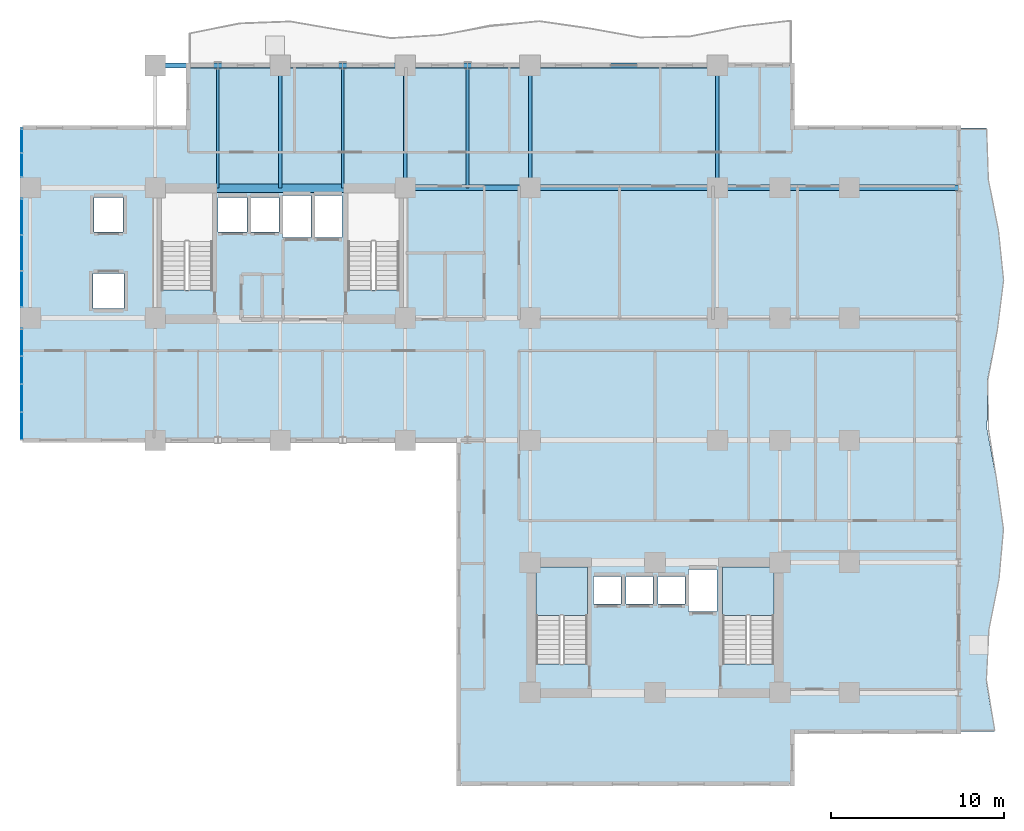
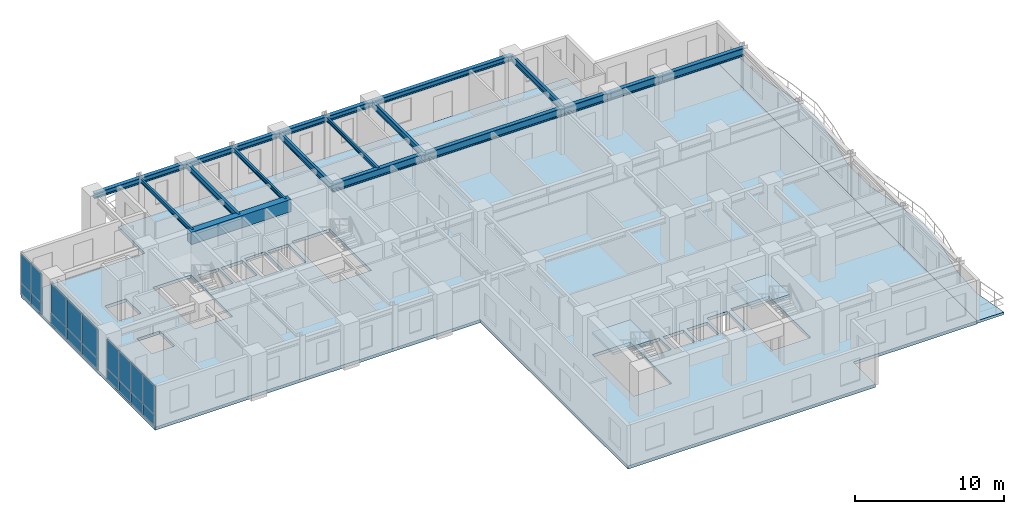
# One storey, part 7 of 17: 20 beams, 18 plates, 4 slabs, 5 elements without a shape of their own.
"""IFC4 building model written with IfcOpenShell, lengths in metres."""

from ifc_helpers import new_model, si_unit, direction, frame, origin, origin_2d, place, context, subcontext, project, spatial, polyline, rectangle, i_section, outline, extrude, source, transform, mapped, material, layer, layer_set, material_profile, profile_set, type_object, element, aggregate, save


model = new_model("IFC4")

# Units and contexts
model_context = context("Model", 3, precision=1e-05, world=origin(), true_north=direction((0.0, 1.0)))
body_context = subcontext(model_context, "Body", "Model", "MODEL_VIEW")
ifc_project = project(units=[si_unit("LENGTHUNIT", "METRE"), si_unit("AREAUNIT", "SQUARE_METRE"), si_unit("VOLUMEUNIT", "CUBIC_METRE"), si_unit("PLANEANGLEUNIT", "RADIAN"), si_unit("MASSUNIT", "GRAM", prefix="KILO")], contexts=[model_context])

# Site, building, storey
site_placement = place(None, origin())
site = spatial("IfcSite", under=ifc_project, at=site_placement, CompositionType="ELEMENT")
building_placement = place(site_placement, origin())
building = spatial("IfcBuilding", under=site, at=building_placement, Name="Kaliganga Portal Commons", CompositionType="ELEMENT")
storey_placement = place(building_placement, frame((0.0, 0.0, 108.199951171875)))
storey = spatial("IfcBuildingStorey", under=building, at=storey_placement, Name="L27", CompositionType="ELEMENT", Elevation=108.199951171875)

# Beams
ifc_material_1 = material(Name="Concrete C50/60", Category="concrete")
ifc_material_profile_1 = material_profile(ifc_material_1, rectangle(XDim=0.5, YDim=1.0, at=origin_2d()), Name="RC 500x1000")
ifc_profile_set_1 = profile_set([ifc_material_profile_1], Name="Concrete C50/60")
beam_type_1 = type_object("IfcBeamType", Name="BM-CPL-1000", PredefinedType="LINTEL", material=ifc_profile_set_1)
shared_shape_1 = source(origin(), body_context, "Body", "SweptSolid", [
    extrude(rectangle(XDim=0.5, YDim=1.0, at=origin_2d()), origin(), (0.0, 0.0, 1.0), 7.739990234375),
])
beam_1_placement = place(storey_placement, frame((17.72998046875, 36.125, 2.949951171875), z_axis=(1.0, 0.0, 0.0), x_axis=(0.0, 1.0, 0.0)))
element("IfcBeam", 1, at=beam_1_placement, inside=storey, type_object=beam_type_1, Name="BM CPL COREA L27 N", PredefinedType="LINTEL", context=body_context, shape_type="MappedRepresentation", body=[
    mapped(shared_shape_1, transform((0.0, 0.0, 0.0), x_axis=(1.0, 0.0, 0.0), y_axis=(0.0, 1.0, 0.0), z_axis=(0.0, 0.0, 1.0), scale=1.0)),
])
ifc_material_2 = material(Name="Structural steel S355J2", Category="steel")
ifc_material_profile_2 = material_profile(ifc_material_2, i_section(OverallWidth=0.300048828125, OverallDepth=0.64990234375, WebThickness=0.01611328125, FlangeThickness=0.031005859375, FilletRadius=0.027099609375, at=origin_2d()), Name="HE 650 B")
ifc_profile_set_2 = profile_set([ifc_material_profile_2], Name="Structural steel S355J2 wide-flange")
beam_type_2 = type_object("IfcBeamType", Name="BM-GIRD-650", PredefinedType="USERDEFINED", material=ifc_profile_set_2)
shared_shape_2 = source(origin(), body_context, "Body", "SweptSolid", [
    extrude(i_section(OverallWidth=0.300048828125, OverallDepth=0.64990234375, WebThickness=0.01611328125, FlangeThickness=0.031005859375, FilletRadius=0.027099609375, at=origin_2d()), origin(), (0.0, 0.0, 1.0), 3.599853515625),
])
beam_2_placement = place(storey_placement, frame((46.800048828125, 36.14990234375, 3.125), z_axis=(1.0, 0.0, 0.0), x_axis=(0.0, 1.0, 0.0)))
element("IfcBeam", 2, at=beam_2_placement, inside=storey, type_object=beam_type_2, Name="BM G L27 BKE362 1", ObjectType="GIRDER", PredefinedType="USERDEFINED", context=body_context, shape_type="MappedRepresentation", body=[
    mapped(shared_shape_2, transform((0.0, 0.0, 0.0), x_axis=(1.0, 0.0, 0.0), y_axis=(0.0, 1.0, 0.0), z_axis=(0.0, 0.0, 1.0), scale=1.0)),
])
shared_shape_3 = source(origin(), body_context, "Body", "SweptSolid", [
    extrude(i_section(OverallWidth=0.300048828125, OverallDepth=0.64990234375, WebThickness=0.01611328125, FlangeThickness=0.031005859375, FilletRadius=0.027099609375, at=origin_2d()), origin(), (0.0, 0.0, 1.0), 7.199951171875),
])
beam_3_placement = place(storey_placement, frame((28.800048828125, 36.14990234375, 3.125), z_axis=(1.0, 0.0, 0.0), x_axis=(0.0, 1.0, 0.0)))
element("IfcBeam", 3, at=beam_3_placement, inside=storey, type_object=beam_type_2, Name="BM G L27 WAE_N 1", ObjectType="GIRDER", PredefinedType="USERDEFINED", context=body_context, shape_type="MappedRepresentation", body=[
    mapped(shared_shape_3, transform((0.0, 0.0, 0.0), x_axis=(1.0, 0.0, 0.0), y_axis=(0.0, 1.0, 0.0), z_axis=(0.0, 0.0, 1.0), scale=1.0)),
])
shared_shape_4 = source(origin(), body_context, "Body", "SweptSolid", [
    extrude(i_section(OverallWidth=0.300048828125, OverallDepth=0.64990234375, WebThickness=0.01611328125, FlangeThickness=0.031005859375, FilletRadius=0.027099609375, at=origin_2d()), origin(), (0.0, 0.0, 1.0), 10.800048828125),
])
beam_4_placement = place(storey_placement, frame((36.0, 36.14990234375, 3.125), z_axis=(1.0, 0.0, 0.0), x_axis=(0.0, 1.0, 0.0)))
element("IfcBeam", 4, at=beam_4_placement, inside=storey, type_object=beam_type_2, Name="BM G L27 WAE_N 2", ObjectType="GIRDER", PredefinedType="USERDEFINED", context=body_context, shape_type="MappedRepresentation", body=[
    mapped(shared_shape_4, transform((0.0, 0.0, 0.0), x_axis=(1.0, 0.0, 0.0), y_axis=(0.0, 1.0, 0.0), z_axis=(0.0, 0.0, 1.0), scale=1.0)),
])
shared_shape_5 = source(origin(), body_context, "Body", "SweptSolid", [
    extrude(i_section(OverallWidth=0.300048828125, OverallDepth=0.64990234375, WebThickness=0.01611328125, FlangeThickness=0.031005859375, FilletRadius=0.027099609375, at=origin_2d()), origin(), (0.0, 0.0, 1.0), 4.0),
])
beam_5_placement = place(storey_placement, frame((50.39990234375, 36.14990234375, 3.125), z_axis=(1.0, 0.0, 0.0), x_axis=(0.0, 1.0, 0.0)))
element("IfcBeam", 5, at=beam_5_placement, inside=storey, type_object=beam_type_2, Name="BM G L27 BKE362 2", ObjectType="GIRDER", PredefinedType="USERDEFINED", context=body_context, shape_type="MappedRepresentation", body=[
    mapped(shared_shape_5, transform((0.0, 0.0, 0.0), x_axis=(1.0, 0.0, 0.0), y_axis=(0.0, 1.0, 0.0), z_axis=(0.0, 0.0, 1.0), scale=1.0)),
])
ifc_material_profile_3 = material_profile(ifc_material_2, i_section(OverallWidth=0.199951171875, OverallDepth=0.5, WebThickness=0.01025390625, FlangeThickness=0.01611328125, FilletRadius=0.02099609375, at=origin_2d()), Name="IPE 500")
ifc_profile_set_3 = profile_set([ifc_material_profile_3], Name="Structural steel S355J2 wide-flange")
beam_type_3 = type_object("IfcBeamType", Name="BM-FLR-500", PredefinedType="BEAM", material=ifc_profile_set_3)
shared_shape_6 = source(origin(), body_context, "Body", "SweptSolid", [
    extrude(i_section(OverallWidth=0.199951171875, OverallDepth=0.5, WebThickness=0.01025390625, FlangeThickness=0.01611328125, FilletRadius=0.02099609375, at=origin_2d()), origin(), (0.0, 0.0, 1.0), 7.050048828125),
])
for number, where, z_axis, x_axis, name in (
    (6, (28.800048828125, 36.14990234375, 3.199951171875), (0.0, 1.0, 0.0), (-1.0, 0.0, 0.0), "BM G L27 AN288"),
    (7, (36.0, 36.14990234375, 3.199951171875), (0.0, 1.0, 0.0), (-1.0, 0.0, 0.0), "BM G L27 AN360"),
    (8, (46.800048828125, 36.14990234375, 3.199951171875), (0.0, 1.0, 0.0), (-1.0, 0.0, 0.0), "BM G L27 AN468"),
):
    element("IfcBeam", number, at=place(storey_placement, frame(where, z_axis=z_axis, x_axis=x_axis)), inside=storey, type_object=beam_type_3, Name=name, PredefinedType="BEAM", context=body_context, shape_type="MappedRepresentation", body=[
        mapped(shared_shape_6, transform((0.0, 0.0, 0.0), x_axis=(1.0, 0.0, 0.0), y_axis=(0.0, 1.0, 0.0), z_axis=(0.0, 0.0, 1.0), scale=1.0)),
    ])
shared_shape_7 = source(origin(), body_context, "Body", "SweptSolid", [
    extrude(i_section(OverallWidth=0.199951171875, OverallDepth=0.5, WebThickness=0.01025390625, FlangeThickness=0.01611328125, FilletRadius=0.02099609375, at=origin_2d()), origin(), (0.0, 0.0, 1.0), 7.074951171875),
])
beam_6_placement = place(storey_placement, frame((21.60009765625, 36.125, 3.199951171875), z_axis=(0.0, 1.0, 0.0), x_axis=(-1.0, 0.0, 0.0)))
element("IfcBeam", 9, at=beam_6_placement, inside=storey, type_object=beam_type_3, Name="BM G L27 AN216", PredefinedType="BEAM", context=body_context, shape_type="MappedRepresentation", body=[
    mapped(shared_shape_7, transform((0.0, 0.0, 0.0), x_axis=(1.0, 0.0, 0.0), y_axis=(0.0, 1.0, 0.0), z_axis=(0.0, 0.0, 1.0), scale=1.0)),
])
shared_shape_8 = source(origin(), body_context, "Body", "SweptSolid", [
    extrude(i_section(OverallWidth=0.300048828125, OverallDepth=0.64990234375, WebThickness=0.01611328125, FlangeThickness=0.031005859375, FilletRadius=0.027099609375, at=origin_2d()), origin(), (0.0, 0.0, 1.0), 6.300048828125),
])
beam_7_placement = place(storey_placement, frame((54.39990234375, 36.14990234375, 3.125), z_axis=(1.0, 0.0, 0.0), x_axis=(0.0, 1.0, 0.0)))
element("IfcBeam", 10, at=beam_7_placement, inside=storey, type_object=beam_type_2, Name="BM G L27 BKE362 3", ObjectType="GIRDER", PredefinedType="USERDEFINED", context=body_context, shape_type="MappedRepresentation", body=[
    mapped(shared_shape_8, transform((0.0, 0.0, 0.0), x_axis=(1.0, 0.0, 0.0), y_axis=(0.0, 1.0, 0.0), z_axis=(0.0, 0.0, 1.0), scale=1.0)),
])
ifc_material_profile_4 = material_profile(ifc_material_2, i_section(OverallWidth=0.300048828125, OverallDepth=0.449951171875, WebThickness=0.013916015625, FlangeThickness=0.02587890625, FilletRadius=0.027099609375, at=origin_2d()), Name="HE 450 B")
ifc_profile_set_4 = profile_set([ifc_material_profile_4], Name="Structural steel S355J2 wide-flange")
beam_type_4 = type_object("IfcBeamType", Name="BM-SPAND-450", PredefinedType="SPANDREL", material=ifc_profile_set_4)
shared_shape_9 = source(origin(), body_context, "Body", "SweptSolid", [
    extrude(i_section(OverallWidth=0.300048828125, OverallDepth=0.449951171875, WebThickness=0.013916015625, FlangeThickness=0.02587890625, FilletRadius=0.027099609375, at=origin_2d()), origin(), (0.0, 0.0, 1.0), 3.60009765625),
])
for number, where, z_axis, x_axis, name in (
    (11, (14.39990234375, 43.199951171875, 3.22509765625), (1.0, 0.0, 0.0), (0.0, 1.0, 0.0), "BM SP L27 AN 1"),
    (12, (18.0, 43.199951171875, 3.22509765625), (1.0, 0.0, 0.0), (0.0, 1.0, 0.0), "BM SP L27 AN 2"),
    (13, (25.199951171875, 43.199951171875, 3.22509765625), (1.0, 0.0, 0.0), (0.0, 1.0, 0.0), "BM SP L27 AN 4"),
    (14, (32.39990234375, 43.199951171875, 3.22509765625), (1.0, 0.0, 0.0), (0.0, 1.0, 0.0), "BM SP L27 AN 6"),
):
    element("IfcBeam", number, at=place(storey_placement, frame(where, z_axis=z_axis, x_axis=x_axis)), inside=storey, type_object=beam_type_4, Name=name, PredefinedType="SPANDREL", context=body_context, shape_type="MappedRepresentation", body=[
        mapped(shared_shape_9, transform((0.0, 0.0, 0.0), x_axis=(1.0, 0.0, 0.0), y_axis=(0.0, 1.0, 0.0), z_axis=(0.0, 0.0, 1.0), scale=1.0)),
    ])
shared_shape_10 = source(origin(), body_context, "Body", "SweptSolid", [
    extrude(i_section(OverallWidth=0.300048828125, OverallDepth=0.449951171875, WebThickness=0.013916015625, FlangeThickness=0.02587890625, FilletRadius=0.027099609375, at=origin_2d()), origin(), (0.0, 0.0, 1.0), 3.599853515625),
])
for number, where, z_axis, x_axis, name in (
    (15, (21.60009765625, 43.199951171875, 3.22509765625), (1.0, 0.0, 0.0), (0.0, 1.0, 0.0), "BM SP L27 AN 3"),
    (16, (28.800048828125, 43.199951171875, 3.22509765625), (1.0, 0.0, 0.0), (0.0, 1.0, 0.0), "BM SP L27 AN 5"),
):
    element("IfcBeam", number, at=place(storey_placement, frame(where, z_axis=z_axis, x_axis=x_axis)), inside=storey, type_object=beam_type_4, Name=name, PredefinedType="SPANDREL", context=body_context, shape_type="MappedRepresentation", body=[
        mapped(shared_shape_10, transform((0.0, 0.0, 0.0), x_axis=(1.0, 0.0, 0.0), y_axis=(0.0, 1.0, 0.0), z_axis=(0.0, 0.0, 1.0), scale=1.0)),
    ])
shared_shape_11 = source(origin(), body_context, "Body", "SweptSolid", [
    extrude(i_section(OverallWidth=0.300048828125, OverallDepth=0.449951171875, WebThickness=0.013916015625, FlangeThickness=0.02587890625, FilletRadius=0.027099609375, at=origin_2d()), origin(), (0.0, 0.0, 1.0), 10.800048828125),
])
beam_8_placement = place(storey_placement, frame((36.0, 43.199951171875, 3.22509765625), z_axis=(1.0, 0.0, 0.0), x_axis=(0.0, 1.0, 0.0)))
element("IfcBeam", 17, at=beam_8_placement, inside=storey, type_object=beam_type_4, Name="BM SP L27 AN 7", PredefinedType="SPANDREL", context=body_context, shape_type="MappedRepresentation", body=[
    mapped(shared_shape_11, transform((0.0, 0.0, 0.0), x_axis=(1.0, 0.0, 0.0), y_axis=(0.0, 1.0, 0.0), z_axis=(0.0, 0.0, 1.0), scale=1.0)),
])
ifc_material_profile_5 = material_profile(ifc_material_2, i_section(OverallWidth=0.159912109375, OverallDepth=0.330078125, WebThickness=0.007568359375, FlangeThickness=0.011474609375, FilletRadius=0.01806640625, at=origin_2d()), Name="IPE 330")
ifc_profile_set_5 = profile_set([ifc_material_profile_5], Name="Structural steel S355J2 wide-flange")
beam_type_5 = type_object("IfcBeamType", Name="BM-JST-330", PredefinedType="JOIST", material=ifc_profile_set_5)
shared_shape_12 = source(origin(), body_context, "Body", "SweptSolid", [
    extrude(i_section(OverallWidth=0.159912109375, OverallDepth=0.330078125, WebThickness=0.007568359375, FlangeThickness=0.011474609375, FilletRadius=0.01806640625, at=origin_2d()), origin(), (0.0, 0.0, 1.0), 7.074951171875),
])
for number, where, z_axis, x_axis, name in (
    (18, (18.0, 36.125, 3.28515625), (0.0, 1.0, 0.0), (-1.0, 0.0, 0.0), "BM G L27 AN180"),
    (19, (25.199951171875, 36.125, 3.28515625), (0.0, 1.0, 0.0), (-1.0, 0.0, 0.0), "BM G L27 AN252"),
):
    element("IfcBeam", number, at=place(storey_placement, frame(where, z_axis=z_axis, x_axis=x_axis)), inside=storey, type_object=beam_type_5, Name=name, PredefinedType="JOIST", context=body_context, shape_type="MappedRepresentation", body=[
        mapped(shared_shape_12, transform((0.0, 0.0, 0.0), x_axis=(1.0, 0.0, 0.0), y_axis=(0.0, 1.0, 0.0), z_axis=(0.0, 0.0, 1.0), scale=1.0)),
    ])
shared_shape_13 = source(origin(), body_context, "Body", "SweptSolid", [
    extrude(i_section(OverallWidth=0.159912109375, OverallDepth=0.330078125, WebThickness=0.007568359375, FlangeThickness=0.011474609375, FilletRadius=0.01806640625, at=origin_2d()), origin(), (0.0, 0.0, 1.0), 7.050048828125),
])
beam_9_placement = place(storey_placement, frame((32.39990234375, 36.14990234375, 3.28515625), z_axis=(0.0, 1.0, 0.0), x_axis=(-1.0, 0.0, 0.0)))
element("IfcBeam", 20, at=beam_9_placement, inside=storey, type_object=beam_type_5, Name="BM G L27 AN324", PredefinedType="JOIST", context=body_context, shape_type="MappedRepresentation", body=[
    mapped(shared_shape_13, transform((0.0, 0.0, 0.0), x_axis=(1.0, 0.0, 0.0), y_axis=(0.0, 1.0, 0.0), z_axis=(0.0, 0.0, 1.0), scale=1.0)),
])

# Slab
ifc_material_3 = material(Name="Concrete C40/50", Category="concrete")
ifc_layer_1 = layer(ifc_material_3, 0.2099609375)
ifc_layer_set_1 = layer_set([ifc_layer_1], Name="Concrete C40/50")
slab_type_1 = type_object("IfcSlabType", Name="SLB-BALC-210", PredefinedType="FLOOR", material=ifc_layer_set_1)
slab_1_placement = place(storey_placement, frame((0.0, 0.0, -0.2099609375)))
element("IfcSlab", 21, at=slab_1_placement, inside=storey, type_object=slab_type_1, Name="Scalloped Tree-Planter Balcony Slab L27 balc_east", PredefinedType="FLOOR", context=body_context, shape_type="SweptSolid", body=[
    extrude(outline(polyline([(60.699951171875, 4.800048828125), (62.782470703125, 4.800048828125), (62.297119140625, 7.699951171875), (62.444091796875, 10.60009765625), (63.03173828125, 13.5), (63.29443359375, 16.39990234375), (62.889892578125, 19.300048828125), (62.34521484375, 22.199951171875), (62.3701171875, 25.10009765625), (62.931884765625, 28.0), (63.299072265625, 30.89990234375), (62.992919921875, 33.800048828125), (62.41259765625, 36.699951171875), (62.31396484375, 39.60009765625), (60.699951171875, 39.60009765625), (60.699951171875, 4.800048828125)])), origin(), (0.0, 0.0, 1.0), 0.2099609375),
])

# Stair, slab
stair_type = type_object("IfcStairType", Name="ST-CORE-DOGLEG", PredefinedType="HALF_TURN_STAIR", material=ifc_material_3)
stair_1_placement = place(storey_placement, origin())
stair_1 = element("IfcStair", 22, at=stair_1_placement, inside=storey, type_object=stair_type, Name="L27 Protected Exit Stair ST-B1", PredefinedType="HALF_TURN_STAIR")
ifc_layer_2 = layer(ifc_material_3, 0.199951171875)
ifc_layer_set_2 = layer_set([ifc_layer_2], Name="Concrete C40/50")
slab_type_2 = type_object("IfcSlabType", Name="SLB-STAIR-LND", PredefinedType="LANDING", material=ifc_layer_set_2)
slab_2_placement = place(storey_placement, frame((0.0, 0.0, 1.650146484375)))
slab_2 = element("IfcSlab", 23, at=slab_2_placement, type_object=slab_type_2, Name="ST-B1 landing 1", PredefinedType="LANDING", context=body_context, shape_type="SweptSolid", body=[
    extrude(outline(polyline([(39.300048828125, 11.5), (39.300048828125, 14.300048828125), (36.35009765625, 14.300048828125), (36.35009765625, 11.5), (39.300048828125, 11.5)])), origin(), (0.0, 0.0, 1.0), 0.199951171875),
])
aggregate(stair_1, [slab_2])

stair_2_placement = place(storey_placement, origin())
stair_2 = element("IfcStair", 24, at=stair_2_placement, inside=storey, type_object=stair_type, Name="L27 Protected Exit Stair ST-B2", PredefinedType="HALF_TURN_STAIR")
slab_3_placement = place(storey_placement, frame((0.0, 0.0, 1.650146484375)))
slab_3 = element("IfcSlab", 25, at=slab_3_placement, type_object=slab_type_2, Name="ST-B2 landing 1", PredefinedType="LANDING", context=body_context, shape_type="SweptSolid", body=[
    extrude(outline(polyline([(50.050048828125, 11.5), (50.050048828125, 14.300048828125), (47.10009765625, 14.300048828125), (47.10009765625, 11.5), (50.050048828125, 11.5)])), origin(), (0.0, 0.0, 1.0), 0.199951171875),
])
aggregate(stair_2, [slab_3])

# Slab
ifc_layer_3 = layer(ifc_material_3, 0.25)
ifc_layer_set_3 = layer_set([ifc_layer_3], Name="Concrete C40/50")
slab_type_3 = type_object("IfcSlabType", Name="SLB-TWR-250", PredefinedType="FLOOR", material=ifc_layer_set_3)
slab_4_placement = place(storey_placement, frame((0.0, 0.0, -0.25)))
element("IfcSlab", 26, at=slab_4_placement, inside=storey, type_object=slab_type_3, Name="Structural Floor Slab L27", PredefinedType="FLOOR", context=body_context, shape_type="SweptSolid", body=[
    extrude(outline(polyline([(31.89990234375, 1.800048828125), (51.10009765625, 1.800048828125), (51.10009765625, 4.800048828125), (60.699951171875, 4.800048828125), (60.699951171875, 39.60009765625), (51.10009765625, 39.60009765625), (51.10009765625, 43.199951171875), (16.300048828125, 43.199951171875), (16.300048828125, 39.60009765625), (6.699951171875, 39.60009765625), (6.699951171875, 21.60009765625), (31.89990234375, 21.60009765625), (31.89990234375, 1.800048828125)]), holes=[polyline([(14.75, 30.25390625), (14.75, 35.85009765625), (17.699951171875, 35.85009765625), (17.699951171875, 30.25390625), (14.75, 30.25390625)]), polyline([(25.5, 30.25390625), (25.5, 35.85009765625), (28.449951171875, 35.85009765625), (28.449951171875, 30.25390625), (25.5, 30.25390625)]), polyline([(36.35009765625, 8.7041015625), (36.35009765625, 14.300048828125), (39.300048828125, 14.300048828125), (39.300048828125, 8.7041015625), (36.35009765625, 8.7041015625)]), polyline([(47.10009765625, 8.7041015625), (47.10009765625, 14.300048828125), (50.050048828125, 14.300048828125), (50.050048828125, 8.7041015625), (47.10009765625, 8.7041015625)]), polyline([(18.014892578125, 33.614990234375), (18.014892578125, 35.5849609375), (19.68505859375, 35.5849609375), (19.68505859375, 33.614990234375), (18.014892578125, 33.614990234375)]), polyline([(19.864990234375, 33.614990234375), (19.864990234375, 35.5849609375), (21.534912109375, 35.5849609375), (21.534912109375, 33.614990234375), (19.864990234375, 33.614990234375)]), polyline([(10.81494140625, 29.18994140625), (10.81494140625, 31.2099609375), (12.5849609375, 31.2099609375), (12.5849609375, 29.18994140625), (10.81494140625, 29.18994140625)]), polyline([(10.864990234375, 33.614990234375), (10.864990234375, 35.5849609375), (12.534912109375, 35.5849609375), (12.534912109375, 33.614990234375), (10.864990234375, 33.614990234375)]), polyline([(21.739990234375, 33.2900390625), (21.739990234375, 35.7099609375), (23.360107421875, 35.7099609375), (23.360107421875, 33.2900390625), (21.739990234375, 33.2900390625)]), polyline([(23.5400390625, 33.2900390625), (23.5400390625, 35.7099609375), (25.159912109375, 35.7099609375), (25.159912109375, 33.2900390625), (23.5400390625, 33.2900390625)]), polyline([(39.6650390625, 12.1650390625), (39.6650390625, 13.735107421875), (41.235107421875, 13.735107421875), (41.235107421875, 12.1650390625), (39.6650390625, 12.1650390625)]), polyline([(41.514892578125, 12.1650390625), (41.514892578125, 13.735107421875), (43.0849609375, 13.735107421875), (43.0849609375, 12.1650390625), (41.514892578125, 12.1650390625)]), polyline([(43.364990234375, 12.1650390625), (43.364990234375, 13.735107421875), (44.93505859375, 13.735107421875), (44.93505859375, 12.1650390625), (43.364990234375, 12.1650390625)]), polyline([(45.139892578125, 11.739990234375), (45.139892578125, 14.159912109375), (46.760009765625, 14.159912109375), (46.760009765625, 11.739990234375), (45.139892578125, 11.739990234375)])]), origin(), (0.0, 0.0, 1.0), 0.25),
])

# Curtain wall, plates
ifc_material_4 = material(Name="Anodized Aluminium and Laminated Low-E Glass", Category="aluminium")
ifc_layer_4 = layer(ifc_material_4, 0.199951171875)
ifc_layer_set_4 = layer_set([ifc_layer_4], Name="Anodized Aluminium and Laminated Low-E Glass")
curtain_wall_type = type_object("IfcCurtainWallType", Name="CW-SYS-02", PredefinedType="NOTDEFINED", material=ifc_layer_set_4)
curtain_wall_1_placement = place(storey_placement, origin())
curtain_wall_1 = element("IfcCurtainWall", 27, at=curtain_wall_1_placement, inside=storey, type_object=curtain_wall_type, Name="CW 02 L27 P1E09S3", PredefinedType="NOTDEFINED")
ifc_material_5 = material(Name="Insulated Dark Spandrel Panel", Category="metal")
ifc_layer_5 = layer(ifc_material_5, 0.044921875)
ifc_layer_set_5 = layer_set([ifc_layer_5], Name="Insulated Dark Spandrel Panel")
plate_type_1 = type_object("IfcPlateType", Name="PLT-SPN-45", PredefinedType="SHEET", material=ifc_layer_set_5)
shared_shape_14 = source(origin(), body_context, "Body", "SweptSolid", [
    extrude(rectangle(XDim=1.572265625, YDim=0.044921875, at=origin_2d()), origin(), (0.0, 0.0, 1.0), 0.929931640625),
])
plate_1_placement = place(storey_placement, frame((6.699951171875, 27.242919921875, 0.01025390625), z_axis=(0.0, 0.0, 1.0), x_axis=(0.0, -1.0, 0.0)))
plate_1 = element("IfcPlate", 28, at=plate_1_placement, type_object=plate_type_1, Name="CW:02:L27:P1E09S3 Spandrel 00", PredefinedType="SHEET", context=body_context, shape_type="MappedRepresentation", body=[
    mapped(shared_shape_14, transform((0.0, 0.0, 0.0), x_axis=(1.0, 0.0, 0.0), y_axis=(0.0, 1.0, 0.0), z_axis=(0.0, 0.0, 1.0), scale=1.0)),
])
plate_2_placement = place(storey_placement, frame((6.699951171875, 25.630615234375, 0.01025390625), z_axis=(0.0, 0.0, 1.0), x_axis=(0.0, -1.0, 0.0)))
plate_2 = element("IfcPlate", 29, at=plate_2_placement, type_object=plate_type_1, Name="CW:02:L27:P1E09S3 Spandrel 01", PredefinedType="SHEET", context=body_context, shape_type="MappedRepresentation", body=[
    mapped(shared_shape_14, transform((0.0, 0.0, 0.0), x_axis=(1.0, 0.0, 0.0), y_axis=(0.0, 1.0, 0.0), z_axis=(0.0, 0.0, 1.0), scale=1.0)),
])
plate_3_placement = place(storey_placement, frame((6.699951171875, 24.018310546875, 0.01025390625), z_axis=(0.0, 0.0, 1.0), x_axis=(0.0, -1.0, 0.0)))
plate_3 = element("IfcPlate", 30, at=plate_3_placement, type_object=plate_type_1, Name="CW:02:L27:P1E09S3 Spandrel 02", PredefinedType="SHEET", context=body_context, shape_type="MappedRepresentation", body=[
    mapped(shared_shape_14, transform((0.0, 0.0, 0.0), x_axis=(1.0, 0.0, 0.0), y_axis=(0.0, 1.0, 0.0), z_axis=(0.0, 0.0, 1.0), scale=1.0)),
])
plate_4_placement = place(storey_placement, frame((6.699951171875, 22.406005859375, 0.01025390625), z_axis=(0.0, 0.0, 1.0), x_axis=(0.0, -1.0, 0.0)))
plate_4 = element("IfcPlate", 31, at=plate_4_placement, type_object=plate_type_1, Name="CW:02:L27:P1E09S3 Spandrel 03", PredefinedType="SHEET", context=body_context, shape_type="MappedRepresentation", body=[
    mapped(shared_shape_14, transform((0.0, 0.0, 0.0), x_axis=(1.0, 0.0, 0.0), y_axis=(0.0, 1.0, 0.0), z_axis=(0.0, 0.0, 1.0), scale=1.0)),
])
ifc_material_6 = material(Name="Dark Solar-Control Laminated Low-E IGU", Category="glass")
ifc_layer_6 = layer(ifc_material_6, 0.028076171875)
ifc_layer_set_6 = layer_set([ifc_layer_6], Name="Dark Solar-Control Laminated Low-E IGU")
plate_type_2 = type_object("IfcPlateType", Name="PLT-GLZ-28", PredefinedType="CURTAIN_PANEL", material=ifc_layer_set_6)
shared_shape_15 = source(origin(), body_context, "Body", "SweptSolid", [
    extrude(rectangle(XDim=1.572265625, YDim=0.028076171875, at=origin_2d()), origin(), (0.0, 0.0, 1.0), 2.39990234375),
])
plate_5_placement = place(storey_placement, frame((6.699951171875, 27.242919921875, 0.960205078125), z_axis=(0.0, 0.0, 1.0), x_axis=(0.0, -1.0, 0.0)))
plate_5 = element("IfcPlate", 32, at=plate_5_placement, type_object=plate_type_2, Name="CW:02:L27:P1E09S3 Vision IGU 00", PredefinedType="CURTAIN_PANEL", context=body_context, shape_type="MappedRepresentation", body=[
    mapped(shared_shape_15, transform((0.0, 0.0, 0.0), x_axis=(1.0, 0.0, 0.0), y_axis=(0.0, 1.0, 0.0), z_axis=(0.0, 0.0, 1.0), scale=1.0)),
])
plate_6_placement = place(storey_placement, frame((6.699951171875, 25.630615234375, 0.960205078125), z_axis=(0.0, 0.0, 1.0), x_axis=(0.0, -1.0, 0.0)))
plate_6 = element("IfcPlate", 33, at=plate_6_placement, type_object=plate_type_2, Name="CW:02:L27:P1E09S3 Vision IGU 01", PredefinedType="CURTAIN_PANEL", context=body_context, shape_type="MappedRepresentation", body=[
    mapped(shared_shape_15, transform((0.0, 0.0, 0.0), x_axis=(1.0, 0.0, 0.0), y_axis=(0.0, 1.0, 0.0), z_axis=(0.0, 0.0, 1.0), scale=1.0)),
])
plate_7_placement = place(storey_placement, frame((6.699951171875, 24.018310546875, 0.960205078125), z_axis=(0.0, 0.0, 1.0), x_axis=(0.0, -1.0, 0.0)))
plate_7 = element("IfcPlate", 34, at=plate_7_placement, type_object=plate_type_2, Name="CW:02:L27:P1E09S3 Vision IGU 02", PredefinedType="CURTAIN_PANEL", context=body_context, shape_type="MappedRepresentation", body=[
    mapped(shared_shape_15, transform((0.0, 0.0, 0.0), x_axis=(1.0, 0.0, 0.0), y_axis=(0.0, 1.0, 0.0), z_axis=(0.0, 0.0, 1.0), scale=1.0)),
])
plate_8_placement = place(storey_placement, frame((6.699951171875, 22.406005859375, 0.960205078125), z_axis=(0.0, 0.0, 1.0), x_axis=(0.0, -1.0, 0.0)))
plate_8 = element("IfcPlate", 35, at=plate_8_placement, type_object=plate_type_2, Name="CW:02:L27:P1E09S3 Vision IGU 03", PredefinedType="CURTAIN_PANEL", context=body_context, shape_type="MappedRepresentation", body=[
    mapped(shared_shape_15, transform((0.0, 0.0, 0.0), x_axis=(1.0, 0.0, 0.0), y_axis=(0.0, 1.0, 0.0), z_axis=(0.0, 0.0, 1.0), scale=1.0)),
])
aggregate(curtain_wall_1, [plate_1, plate_5, plate_2, plate_6, plate_3, plate_7, plate_4, plate_8])

curtain_wall_2_placement = place(storey_placement, origin())
curtain_wall_2 = element("IfcCurtainWall", 36, at=curtain_wall_2_placement, inside=storey, type_object=curtain_wall_type, Name="CW 02 L27 P1E09S2", PredefinedType="NOTDEFINED")
shared_shape_16 = source(origin(), body_context, "Body", "SweptSolid", [
    extrude(rectangle(XDim=2.059326171875, YDim=0.044921875, at=origin_2d()), origin(), (0.0, 0.0, 1.0), 0.929931640625),
])
plate_9_placement = place(storey_placement, frame((6.699951171875, 34.499267578125, 0.01025390625), z_axis=(0.0, 0.0, 1.0), x_axis=(0.0, -1.0, 0.0)))
plate_9 = element("IfcPlate", 37, at=plate_9_placement, type_object=plate_type_1, Name="CW:02:L27:P1E09S2 Spandrel 00", PredefinedType="SHEET", context=body_context, shape_type="MappedRepresentation", body=[
    mapped(shared_shape_16, transform((0.0, 0.0, 0.0), x_axis=(1.0, 0.0, 0.0), y_axis=(0.0, 1.0, 0.0), z_axis=(0.0, 0.0, 1.0), scale=1.0)),
])
plate_10_placement = place(storey_placement, frame((6.699951171875, 32.39990234375, 0.01025390625), z_axis=(0.0, 0.0, 1.0), x_axis=(0.0, -1.0, 0.0)))
plate_10 = element("IfcPlate", 38, at=plate_10_placement, type_object=plate_type_1, Name="CW:02:L27:P1E09S2 Spandrel 01", PredefinedType="SHEET", context=body_context, shape_type="MappedRepresentation", body=[
    mapped(shared_shape_16, transform((0.0, 0.0, 0.0), x_axis=(1.0, 0.0, 0.0), y_axis=(0.0, 1.0, 0.0), z_axis=(0.0, 0.0, 1.0), scale=1.0)),
])
plate_11_placement = place(storey_placement, frame((6.699951171875, 30.30078125, 0.01025390625), z_axis=(0.0, 0.0, 1.0), x_axis=(0.0, -1.0, 0.0)))
plate_11 = element("IfcPlate", 39, at=plate_11_placement, type_object=plate_type_1, Name="CW:02:L27:P1E09S2 Spandrel 02", PredefinedType="SHEET", context=body_context, shape_type="MappedRepresentation", body=[
    mapped(shared_shape_16, transform((0.0, 0.0, 0.0), x_axis=(1.0, 0.0, 0.0), y_axis=(0.0, 1.0, 0.0), z_axis=(0.0, 0.0, 1.0), scale=1.0)),
])
shared_shape_17 = source(origin(), body_context, "Body", "SweptSolid", [
    extrude(rectangle(XDim=2.059326171875, YDim=0.028076171875, at=origin_2d()), origin(), (0.0, 0.0, 1.0), 2.39990234375),
])
plate_12_placement = place(storey_placement, frame((6.699951171875, 34.499267578125, 0.960205078125), z_axis=(0.0, 0.0, 1.0), x_axis=(0.0, -1.0, 0.0)))
plate_12 = element("IfcPlate", 40, at=plate_12_placement, type_object=plate_type_2, Name="CW:02:L27:P1E09S2 Vision IGU 00", PredefinedType="CURTAIN_PANEL", context=body_context, shape_type="MappedRepresentation", body=[
    mapped(shared_shape_17, transform((0.0, 0.0, 0.0), x_axis=(1.0, 0.0, 0.0), y_axis=(0.0, 1.0, 0.0), z_axis=(0.0, 0.0, 1.0), scale=1.0)),
])
plate_13_placement = place(storey_placement, frame((6.699951171875, 32.39990234375, 0.960205078125), z_axis=(0.0, 0.0, 1.0), x_axis=(0.0, -1.0, 0.0)))
plate_13 = element("IfcPlate", 41, at=plate_13_placement, type_object=plate_type_2, Name="CW:02:L27:P1E09S2 Vision IGU 01", PredefinedType="CURTAIN_PANEL", context=body_context, shape_type="MappedRepresentation", body=[
    mapped(shared_shape_17, transform((0.0, 0.0, 0.0), x_axis=(1.0, 0.0, 0.0), y_axis=(0.0, 1.0, 0.0), z_axis=(0.0, 0.0, 1.0), scale=1.0)),
])
plate_14_placement = place(storey_placement, frame((6.699951171875, 30.30078125, 0.960205078125), z_axis=(0.0, 0.0, 1.0), x_axis=(0.0, -1.0, 0.0)))
plate_14 = element("IfcPlate", 42, at=plate_14_placement, type_object=plate_type_2, Name="CW:02:L27:P1E09S2 Vision IGU 02", PredefinedType="CURTAIN_PANEL", context=body_context, shape_type="MappedRepresentation", body=[
    mapped(shared_shape_17, transform((0.0, 0.0, 0.0), x_axis=(1.0, 0.0, 0.0), y_axis=(0.0, 1.0, 0.0), z_axis=(0.0, 0.0, 1.0), scale=1.0)),
])
aggregate(curtain_wall_2, [plate_9, plate_12, plate_10, plate_13, plate_11, plate_14])

curtain_wall_3_placement = place(storey_placement, origin())
curtain_wall_3 = element("IfcCurtainWall", 43, at=curtain_wall_3_placement, inside=storey, type_object=curtain_wall_type, Name="CW 02 L27 P1E09S1", PredefinedType="NOTDEFINED")
shared_shape_18 = source(origin(), body_context, "Body", "SweptSolid", [
    extrude(rectangle(XDim=1.384521484375, YDim=0.044921875, at=origin_2d()), origin(), (0.0, 0.0, 1.0), 0.929931640625),
])
plate_15_placement = place(storey_placement, frame((6.699951171875, 38.8876953125, 0.01025390625), z_axis=(0.0, 0.0, 1.0), x_axis=(0.0, -1.0, 0.0)))
plate_15 = element("IfcPlate", 44, at=plate_15_placement, type_object=plate_type_1, Name="CW:02:L27:P1E09S1 Spandrel 00", PredefinedType="SHEET", context=body_context, shape_type="MappedRepresentation", body=[
    mapped(shared_shape_18, transform((0.0, 0.0, 0.0), x_axis=(1.0, 0.0, 0.0), y_axis=(0.0, 1.0, 0.0), z_axis=(0.0, 0.0, 1.0), scale=1.0)),
])
plate_16_placement = place(storey_placement, frame((6.699951171875, 37.46337890625, 0.01025390625), z_axis=(0.0, 0.0, 1.0), x_axis=(0.0, -1.0, 0.0)))
plate_16 = element("IfcPlate", 45, at=plate_16_placement, type_object=plate_type_1, Name="CW:02:L27:P1E09S1 Spandrel 01", PredefinedType="SHEET", context=body_context, shape_type="MappedRepresentation", body=[
    mapped(shared_shape_18, transform((0.0, 0.0, 0.0), x_axis=(1.0, 0.0, 0.0), y_axis=(0.0, 1.0, 0.0), z_axis=(0.0, 0.0, 1.0), scale=1.0)),
])
shared_shape_19 = source(origin(), body_context, "Body", "SweptSolid", [
    extrude(rectangle(XDim=1.384521484375, YDim=0.028076171875, at=origin_2d()), origin(), (0.0, 0.0, 1.0), 2.39990234375),
])
plate_17_placement = place(storey_placement, frame((6.699951171875, 38.8876953125, 0.960205078125), z_axis=(0.0, 0.0, 1.0), x_axis=(0.0, -1.0, 0.0)))
plate_17 = element("IfcPlate", 46, at=plate_17_placement, type_object=plate_type_2, Name="CW:02:L27:P1E09S1 Vision IGU 00", PredefinedType="CURTAIN_PANEL", context=body_context, shape_type="MappedRepresentation", body=[
    mapped(shared_shape_19, transform((0.0, 0.0, 0.0), x_axis=(1.0, 0.0, 0.0), y_axis=(0.0, 1.0, 0.0), z_axis=(0.0, 0.0, 1.0), scale=1.0)),
])
plate_18_placement = place(storey_placement, frame((6.699951171875, 37.46337890625, 0.960205078125), z_axis=(0.0, 0.0, 1.0), x_axis=(0.0, -1.0, 0.0)))
plate_18 = element("IfcPlate", 47, at=plate_18_placement, type_object=plate_type_2, Name="CW:02:L27:P1E09S1 Vision IGU 01", PredefinedType="CURTAIN_PANEL", context=body_context, shape_type="MappedRepresentation", body=[
    mapped(shared_shape_19, transform((0.0, 0.0, 0.0), x_axis=(1.0, 0.0, 0.0), y_axis=(0.0, 1.0, 0.0), z_axis=(0.0, 0.0, 1.0), scale=1.0)),
])
aggregate(curtain_wall_3, [plate_15, plate_17, plate_16, plate_18])

save(model, "model.ifc")
